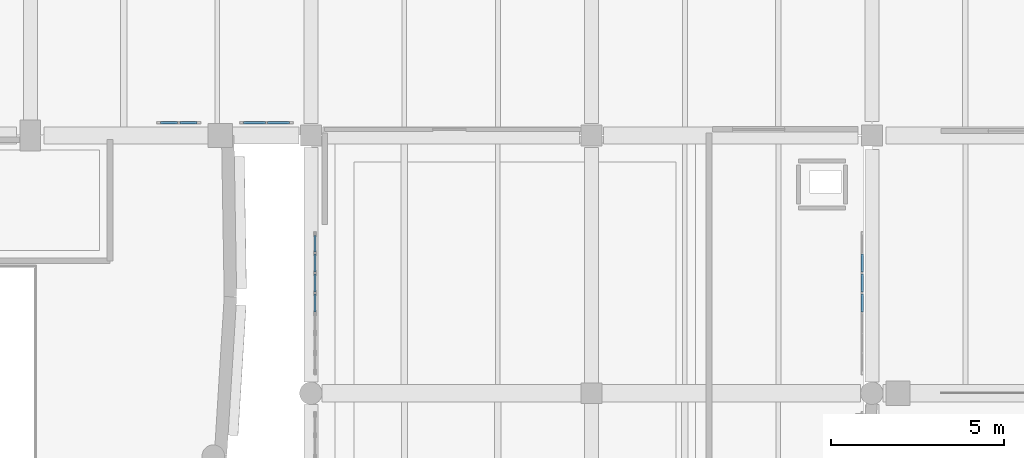
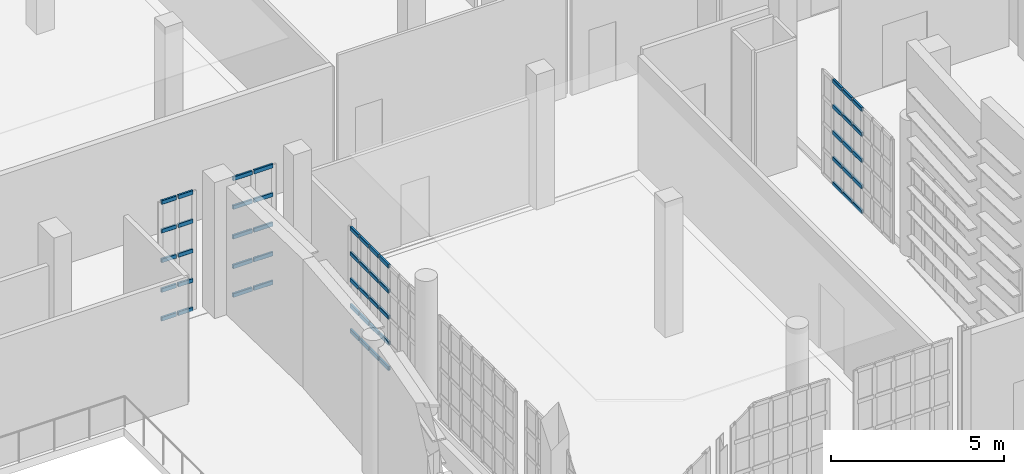
# One storey, part 65 of 104: 55 members, 4 elements without a shape of their own.
"""IFC4 building model written with IfcOpenShell, lengths in metres."""

from ifc_helpers import new_model, si_unit, direction, frame, origin, origin_2d, place, context, subcontext, project, spatial, hollow_rectangle, extrude, material, material_profile, profile_set, type_object, element, aggregate, save


model = new_model("IFC4")

# Units and contexts
model_context = context("Model", 3, precision=1e-05, world=origin(), true_north=direction((0.0, 1.0)))
body_context = subcontext(model_context, "Body", "Model", "MODEL_VIEW")
ifc_project = project(units=[si_unit("LENGTHUNIT", "METRE"), si_unit("AREAUNIT", "SQUARE_METRE"), si_unit("VOLUMEUNIT", "CUBIC_METRE"), si_unit("PLANEANGLEUNIT", "RADIAN"), si_unit("MASSUNIT", "GRAM", prefix="KILO")], contexts=[model_context])

# Site, building, storey
site_placement = place(None, origin())
site = spatial("IfcSite", under=ifc_project, at=site_placement, CompositionType="ELEMENT")
building_placement = place(site_placement, origin())
building = spatial("IfcBuilding", under=site, at=building_placement, Name="Kaelora Sail Theatre", CompositionType="ELEMENT")
storey_placement = place(building_placement, frame((0.0, 0.0, 5.39990234375)))
storey = spatial("IfcBuildingStorey", under=building, at=storey_placement, Name="L01", CompositionType="ELEMENT", Elevation=5.39990234375)

# Curtain wall, members
ifc_material_1 = material(Name="Anodised aluminium and solar-control low-E IGU", Category="aluminium")
curtain_wall_type_1 = type_object("IfcCurtainWallType", Name="ARC-CW-CW-PROW", PredefinedType="NOTDEFINED", material=ifc_material_1)
curtain_wall_1_placement = place(storey_placement, origin())
curtain_wall_1 = element("IfcCurtainWall", 1, at=curtain_wall_1_placement, inside=storey, type_object=curtain_wall_type_1, Name="East Interstitial Foyer West Glazed Return L01-03", PredefinedType="NOTDEFINED")
ifc_material_2 = material(Name="Anodised aluminium 6063-T6", Category="aluminium")
ifc_material_profile = material_profile(ifc_material_2, hollow_rectangle(XDim=0.070068359375, YDim=0.139892578125, WallThickness=0.00390625, InnerFilletRadius=0.00390625, OuterFilletRadius=0.008056640625, at=origin_2d()), Name="ALU-TRAN 70x140x4")
ifc_profile_set = profile_set([ifc_material_profile], Name="Anodised aluminium 6063-T6")
member_type = type_object("IfcMemberType", Name="ARC-MEM-TR-140", PredefinedType="USERDEFINED", material=ifc_profile_set)
member_1_placement = place(storey_placement, frame((106.919921875, 55.92431640625, 0.03515625), z_axis=(0.0, 1.0, 0.0), x_axis=(-1.0, 0.0, 0.0)))
member_1 = element("IfcMember", 2, at=member_1_placement, type_object=member_type, Name="CW-PROW transom 4.1", ObjectType="TRANSOM", PredefinedType="USERDEFINED", context=body_context, shape_type="SweptSolid", body=[
    extrude(hollow_rectangle(XDim=0.070068359375, YDim=0.139892578125, WallThickness=0.00390625, InnerFilletRadius=0.00390625, OuterFilletRadius=0.008056640625, at=origin_2d()), origin(), (0.0, 0.0, 1.0), 0.516357421875),
])
member_2_placement = place(storey_placement, frame((106.919921875, 55.92431640625, 0.921875), z_axis=(0.0, 1.0, 0.0), x_axis=(-1.0, 0.0, 0.0)))
member_2 = element("IfcMember", 3, at=member_2_placement, type_object=member_type, Name="CW-PROW transom 4.2", ObjectType="TRANSOM", PredefinedType="USERDEFINED", context=body_context, shape_type="SweptSolid", body=[
    extrude(hollow_rectangle(XDim=0.070068359375, YDim=0.139892578125, WallThickness=0.00390625, InnerFilletRadius=0.00390625, OuterFilletRadius=0.008056640625, at=origin_2d()), origin(), (0.0, 0.0, 1.0), 0.516357421875),
])
member_3_placement = place(storey_placement, frame((106.919921875, 55.92431640625, 1.843505859375), z_axis=(0.0, 1.0, 0.0), x_axis=(-1.0, 0.0, 0.0)))
member_3 = element("IfcMember", 4, at=member_3_placement, type_object=member_type, Name="CW-PROW transom 4.3", ObjectType="TRANSOM", PredefinedType="USERDEFINED", context=body_context, shape_type="SweptSolid", body=[
    extrude(hollow_rectangle(XDim=0.070068359375, YDim=0.139892578125, WallThickness=0.00390625, InnerFilletRadius=0.00390625, OuterFilletRadius=0.008056640625, at=origin_2d()), origin(), (0.0, 0.0, 1.0), 0.516357421875),
])
member_4_placement = place(storey_placement, frame((106.919921875, 55.92431640625, 2.765380859375), z_axis=(0.0, 1.0, 0.0), x_axis=(-1.0, 0.0, 0.0)))
member_4 = element("IfcMember", 5, at=member_4_placement, type_object=member_type, Name="CW-PROW transom 4.4", ObjectType="TRANSOM", PredefinedType="USERDEFINED", context=body_context, shape_type="SweptSolid", body=[
    extrude(hollow_rectangle(XDim=0.070068359375, YDim=0.139892578125, WallThickness=0.00390625, InnerFilletRadius=0.00390625, OuterFilletRadius=0.008056640625, at=origin_2d()), origin(), (0.0, 0.0, 1.0), 0.516357421875),
])
member_5_placement = place(storey_placement, frame((106.919921875, 55.92431640625, 3.652099609375), z_axis=(0.0, 1.0, 0.0), x_axis=(-1.0, 0.0, 0.0)))
member_5 = element("IfcMember", 6, at=member_5_placement, type_object=member_type, Name="CW-PROW transom 4.5", ObjectType="TRANSOM", PredefinedType="USERDEFINED", context=body_context, shape_type="SweptSolid", body=[
    extrude(hollow_rectangle(XDim=0.070068359375, YDim=0.139892578125, WallThickness=0.00390625, InnerFilletRadius=0.00390625, OuterFilletRadius=0.008056640625, at=origin_2d()), origin(), (0.0, 0.0, 1.0), 0.516357421875),
])
member_6_placement = place(storey_placement, frame((106.919921875, 56.500732421875, 0.03515625), z_axis=(0.0, 1.0, 0.0), x_axis=(-1.0, 0.0, 0.0)))
member_6 = element("IfcMember", 7, at=member_6_placement, type_object=member_type, Name="CW-PROW transom 5.1", ObjectType="TRANSOM", PredefinedType="USERDEFINED", context=body_context, shape_type="SweptSolid", body=[
    extrude(hollow_rectangle(XDim=0.070068359375, YDim=0.139892578125, WallThickness=0.00390625, InnerFilletRadius=0.00390625, OuterFilletRadius=0.008056640625, at=origin_2d()), origin(), (0.0, 0.0, 1.0), 0.516357421875),
])
member_7_placement = place(storey_placement, frame((106.919921875, 56.500732421875, 0.921875), z_axis=(0.0, 1.0, 0.0), x_axis=(-1.0, 0.0, 0.0)))
member_7 = element("IfcMember", 8, at=member_7_placement, type_object=member_type, Name="CW-PROW transom 5.2", ObjectType="TRANSOM", PredefinedType="USERDEFINED", context=body_context, shape_type="SweptSolid", body=[
    extrude(hollow_rectangle(XDim=0.070068359375, YDim=0.139892578125, WallThickness=0.00390625, InnerFilletRadius=0.00390625, OuterFilletRadius=0.008056640625, at=origin_2d()), origin(), (0.0, 0.0, 1.0), 0.516357421875),
])
member_8_placement = place(storey_placement, frame((106.919921875, 56.500732421875, 1.843505859375), z_axis=(0.0, 1.0, 0.0), x_axis=(-1.0, 0.0, 0.0)))
member_8 = element("IfcMember", 9, at=member_8_placement, type_object=member_type, Name="CW-PROW transom 5.3", ObjectType="TRANSOM", PredefinedType="USERDEFINED", context=body_context, shape_type="SweptSolid", body=[
    extrude(hollow_rectangle(XDim=0.070068359375, YDim=0.139892578125, WallThickness=0.00390625, InnerFilletRadius=0.00390625, OuterFilletRadius=0.008056640625, at=origin_2d()), origin(), (0.0, 0.0, 1.0), 0.516357421875),
])
member_9_placement = place(storey_placement, frame((106.919921875, 56.500732421875, 2.765380859375), z_axis=(0.0, 1.0, 0.0), x_axis=(-1.0, 0.0, 0.0)))
member_9 = element("IfcMember", 10, at=member_9_placement, type_object=member_type, Name="CW-PROW transom 5.4", ObjectType="TRANSOM", PredefinedType="USERDEFINED", context=body_context, shape_type="SweptSolid", body=[
    extrude(hollow_rectangle(XDim=0.070068359375, YDim=0.139892578125, WallThickness=0.00390625, InnerFilletRadius=0.00390625, OuterFilletRadius=0.008056640625, at=origin_2d()), origin(), (0.0, 0.0, 1.0), 0.516357421875),
])
member_10_placement = place(storey_placement, frame((106.919921875, 56.500732421875, 3.652099609375), z_axis=(0.0, 1.0, 0.0), x_axis=(-1.0, 0.0, 0.0)))
member_10 = element("IfcMember", 11, at=member_10_placement, type_object=member_type, Name="CW-PROW transom 5.5", ObjectType="TRANSOM", PredefinedType="USERDEFINED", context=body_context, shape_type="SweptSolid", body=[
    extrude(hollow_rectangle(XDim=0.070068359375, YDim=0.139892578125, WallThickness=0.00390625, InnerFilletRadius=0.00390625, OuterFilletRadius=0.008056640625, at=origin_2d()), origin(), (0.0, 0.0, 1.0), 0.516357421875),
])
member_11_placement = place(storey_placement, frame((106.919921875, 57.0771484375, 0.03515625), z_axis=(0.0, 1.0, 0.0), x_axis=(-1.0, 0.0, 0.0)))
member_11 = element("IfcMember", 12, at=member_11_placement, type_object=member_type, Name="CW-PROW transom 6.1", ObjectType="TRANSOM", PredefinedType="USERDEFINED", context=body_context, shape_type="SweptSolid", body=[
    extrude(hollow_rectangle(XDim=0.070068359375, YDim=0.139892578125, WallThickness=0.00390625, InnerFilletRadius=0.00390625, OuterFilletRadius=0.008056640625, at=origin_2d()), origin(), (0.0, 0.0, 1.0), 0.516357421875),
])
member_12_placement = place(storey_placement, frame((106.919921875, 57.0771484375, 0.921875), z_axis=(0.0, 1.0, 0.0), x_axis=(-1.0, 0.0, 0.0)))
member_12 = element("IfcMember", 13, at=member_12_placement, type_object=member_type, Name="CW-PROW transom 6.2", ObjectType="TRANSOM", PredefinedType="USERDEFINED", context=body_context, shape_type="SweptSolid", body=[
    extrude(hollow_rectangle(XDim=0.070068359375, YDim=0.139892578125, WallThickness=0.00390625, InnerFilletRadius=0.00390625, OuterFilletRadius=0.008056640625, at=origin_2d()), origin(), (0.0, 0.0, 1.0), 0.516357421875),
])
member_13_placement = place(storey_placement, frame((106.919921875, 57.0771484375, 1.843505859375), z_axis=(0.0, 1.0, 0.0), x_axis=(-1.0, 0.0, 0.0)))
member_13 = element("IfcMember", 14, at=member_13_placement, type_object=member_type, Name="CW-PROW transom 6.3", ObjectType="TRANSOM", PredefinedType="USERDEFINED", context=body_context, shape_type="SweptSolid", body=[
    extrude(hollow_rectangle(XDim=0.070068359375, YDim=0.139892578125, WallThickness=0.00390625, InnerFilletRadius=0.00390625, OuterFilletRadius=0.008056640625, at=origin_2d()), origin(), (0.0, 0.0, 1.0), 0.516357421875),
])
member_14_placement = place(storey_placement, frame((106.919921875, 57.0771484375, 2.765380859375), z_axis=(0.0, 1.0, 0.0), x_axis=(-1.0, 0.0, 0.0)))
member_14 = element("IfcMember", 15, at=member_14_placement, type_object=member_type, Name="CW-PROW transom 6.4", ObjectType="TRANSOM", PredefinedType="USERDEFINED", context=body_context, shape_type="SweptSolid", body=[
    extrude(hollow_rectangle(XDim=0.070068359375, YDim=0.139892578125, WallThickness=0.00390625, InnerFilletRadius=0.00390625, OuterFilletRadius=0.008056640625, at=origin_2d()), origin(), (0.0, 0.0, 1.0), 0.516357421875),
])
member_15_placement = place(storey_placement, frame((106.919921875, 57.0771484375, 3.652099609375), z_axis=(0.0, 1.0, 0.0), x_axis=(-1.0, 0.0, 0.0)))
member_15 = element("IfcMember", 16, at=member_15_placement, type_object=member_type, Name="CW-PROW transom 6.5", ObjectType="TRANSOM", PredefinedType="USERDEFINED", context=body_context, shape_type="SweptSolid", body=[
    extrude(hollow_rectangle(XDim=0.070068359375, YDim=0.139892578125, WallThickness=0.00390625, InnerFilletRadius=0.00390625, OuterFilletRadius=0.008056640625, at=origin_2d()), origin(), (0.0, 0.0, 1.0), 0.516357421875),
])
member_16_placement = place(storey_placement, frame((106.919921875, 57.653564453125, 0.03515625), z_axis=(0.0, 1.0, 0.0), x_axis=(-1.0, 0.0, 0.0)))
member_16 = element("IfcMember", 17, at=member_16_placement, type_object=member_type, Name="CW-PROW transom 7.1", ObjectType="TRANSOM", PredefinedType="USERDEFINED", context=body_context, shape_type="SweptSolid", body=[
    extrude(hollow_rectangle(XDim=0.070068359375, YDim=0.139892578125, WallThickness=0.00390625, InnerFilletRadius=0.00390625, OuterFilletRadius=0.008056640625, at=origin_2d()), origin(), (0.0, 0.0, 1.0), 0.486328125),
])
member_17_placement = place(storey_placement, frame((106.919921875, 57.653564453125, 0.921875), z_axis=(0.0, 1.0, 0.0), x_axis=(-1.0, 0.0, 0.0)))
member_17 = element("IfcMember", 18, at=member_17_placement, type_object=member_type, Name="CW-PROW transom 7.2", ObjectType="TRANSOM", PredefinedType="USERDEFINED", context=body_context, shape_type="SweptSolid", body=[
    extrude(hollow_rectangle(XDim=0.070068359375, YDim=0.139892578125, WallThickness=0.00390625, InnerFilletRadius=0.00390625, OuterFilletRadius=0.008056640625, at=origin_2d()), origin(), (0.0, 0.0, 1.0), 0.486328125),
])
member_18_placement = place(storey_placement, frame((106.919921875, 57.653564453125, 1.843505859375), z_axis=(0.0, 1.0, 0.0), x_axis=(-1.0, 0.0, 0.0)))
member_18 = element("IfcMember", 19, at=member_18_placement, type_object=member_type, Name="CW-PROW transom 7.3", ObjectType="TRANSOM", PredefinedType="USERDEFINED", context=body_context, shape_type="SweptSolid", body=[
    extrude(hollow_rectangle(XDim=0.070068359375, YDim=0.139892578125, WallThickness=0.00390625, InnerFilletRadius=0.00390625, OuterFilletRadius=0.008056640625, at=origin_2d()), origin(), (0.0, 0.0, 1.0), 0.486328125),
])
member_19_placement = place(storey_placement, frame((106.919921875, 57.653564453125, 2.765380859375), z_axis=(0.0, 1.0, 0.0), x_axis=(-1.0, 0.0, 0.0)))
member_19 = element("IfcMember", 20, at=member_19_placement, type_object=member_type, Name="CW-PROW transom 7.4", ObjectType="TRANSOM", PredefinedType="USERDEFINED", context=body_context, shape_type="SweptSolid", body=[
    extrude(hollow_rectangle(XDim=0.070068359375, YDim=0.139892578125, WallThickness=0.00390625, InnerFilletRadius=0.00390625, OuterFilletRadius=0.008056640625, at=origin_2d()), origin(), (0.0, 0.0, 1.0), 0.486328125),
])
member_20_placement = place(storey_placement, frame((106.919921875, 57.653564453125, 3.652099609375), z_axis=(0.0, 1.0, 0.0), x_axis=(-1.0, 0.0, 0.0)))
member_20 = element("IfcMember", 21, at=member_20_placement, type_object=member_type, Name="CW-PROW transom 7.5", ObjectType="TRANSOM", PredefinedType="USERDEFINED", context=body_context, shape_type="SweptSolid", body=[
    extrude(hollow_rectangle(XDim=0.070068359375, YDim=0.139892578125, WallThickness=0.00390625, InnerFilletRadius=0.00390625, OuterFilletRadius=0.008056640625, at=origin_2d()), origin(), (0.0, 0.0, 1.0), 0.486328125),
])
aggregate(curtain_wall_1, [member_1, member_2, member_3, member_4, member_5, member_6, member_7, member_8, member_9, member_10, member_11, member_12, member_13, member_14, member_15, member_16, member_17, member_18, member_19, member_20])

curtain_wall_2_placement = place(storey_placement, origin())
curtain_wall_2 = element("IfcCurtainWall", 22, at=curtain_wall_2_placement, inside=storey, type_object=curtain_wall_type_1, Name="East Interstitial Foyer East Glazed Return L01-03", PredefinedType="NOTDEFINED")
member_21_placement = place(storey_placement, frame((122.719970703125, 55.92431640625, 0.03515625), z_axis=(0.0, 1.0, 0.0), x_axis=(-1.0, 0.0, 0.0)))
member_21 = element("IfcMember", 23, at=member_21_placement, type_object=member_type, Name="CW-PROW transom 4.1", ObjectType="TRANSOM", PredefinedType="USERDEFINED", context=body_context, shape_type="SweptSolid", body=[
    extrude(hollow_rectangle(XDim=0.070068359375, YDim=0.139892578125, WallThickness=0.00390625, InnerFilletRadius=0.00390625, OuterFilletRadius=0.008056640625, at=origin_2d()), origin(), (0.0, 0.0, 1.0), 0.516357421875),
])
member_22_placement = place(storey_placement, frame((122.719970703125, 55.92431640625, 0.921875), z_axis=(0.0, 1.0, 0.0), x_axis=(-1.0, 0.0, 0.0)))
member_22 = element("IfcMember", 24, at=member_22_placement, type_object=member_type, Name="CW-PROW transom 4.2", ObjectType="TRANSOM", PredefinedType="USERDEFINED", context=body_context, shape_type="SweptSolid", body=[
    extrude(hollow_rectangle(XDim=0.070068359375, YDim=0.139892578125, WallThickness=0.00390625, InnerFilletRadius=0.00390625, OuterFilletRadius=0.008056640625, at=origin_2d()), origin(), (0.0, 0.0, 1.0), 0.516357421875),
])
member_23_placement = place(storey_placement, frame((122.719970703125, 55.92431640625, 1.843505859375), z_axis=(0.0, 1.0, 0.0), x_axis=(-1.0, 0.0, 0.0)))
member_23 = element("IfcMember", 25, at=member_23_placement, type_object=member_type, Name="CW-PROW transom 4.3", ObjectType="TRANSOM", PredefinedType="USERDEFINED", context=body_context, shape_type="SweptSolid", body=[
    extrude(hollow_rectangle(XDim=0.070068359375, YDim=0.139892578125, WallThickness=0.00390625, InnerFilletRadius=0.00390625, OuterFilletRadius=0.008056640625, at=origin_2d()), origin(), (0.0, 0.0, 1.0), 0.516357421875),
])
member_24_placement = place(storey_placement, frame((122.719970703125, 55.92431640625, 2.765380859375), z_axis=(0.0, 1.0, 0.0), x_axis=(-1.0, 0.0, 0.0)))
member_24 = element("IfcMember", 26, at=member_24_placement, type_object=member_type, Name="CW-PROW transom 4.4", ObjectType="TRANSOM", PredefinedType="USERDEFINED", context=body_context, shape_type="SweptSolid", body=[
    extrude(hollow_rectangle(XDim=0.070068359375, YDim=0.139892578125, WallThickness=0.00390625, InnerFilletRadius=0.00390625, OuterFilletRadius=0.008056640625, at=origin_2d()), origin(), (0.0, 0.0, 1.0), 0.516357421875),
])
member_25_placement = place(storey_placement, frame((122.719970703125, 55.92431640625, 3.652099609375), z_axis=(0.0, 1.0, 0.0), x_axis=(-1.0, 0.0, 0.0)))
member_25 = element("IfcMember", 27, at=member_25_placement, type_object=member_type, Name="CW-PROW transom 4.5", ObjectType="TRANSOM", PredefinedType="USERDEFINED", context=body_context, shape_type="SweptSolid", body=[
    extrude(hollow_rectangle(XDim=0.070068359375, YDim=0.139892578125, WallThickness=0.00390625, InnerFilletRadius=0.00390625, OuterFilletRadius=0.008056640625, at=origin_2d()), origin(), (0.0, 0.0, 1.0), 0.516357421875),
])
member_26_placement = place(storey_placement, frame((122.719970703125, 56.500732421875, 0.03515625), z_axis=(0.0, 1.0, 0.0), x_axis=(-1.0, 0.0, 0.0)))
member_26 = element("IfcMember", 28, at=member_26_placement, type_object=member_type, Name="CW-PROW transom 5.1", ObjectType="TRANSOM", PredefinedType="USERDEFINED", context=body_context, shape_type="SweptSolid", body=[
    extrude(hollow_rectangle(XDim=0.070068359375, YDim=0.139892578125, WallThickness=0.00390625, InnerFilletRadius=0.00390625, OuterFilletRadius=0.008056640625, at=origin_2d()), origin(), (0.0, 0.0, 1.0), 0.516357421875),
])
member_27_placement = place(storey_placement, frame((122.719970703125, 56.500732421875, 0.921875), z_axis=(0.0, 1.0, 0.0), x_axis=(-1.0, 0.0, 0.0)))
member_27 = element("IfcMember", 29, at=member_27_placement, type_object=member_type, Name="CW-PROW transom 5.2", ObjectType="TRANSOM", PredefinedType="USERDEFINED", context=body_context, shape_type="SweptSolid", body=[
    extrude(hollow_rectangle(XDim=0.070068359375, YDim=0.139892578125, WallThickness=0.00390625, InnerFilletRadius=0.00390625, OuterFilletRadius=0.008056640625, at=origin_2d()), origin(), (0.0, 0.0, 1.0), 0.516357421875),
])
member_28_placement = place(storey_placement, frame((122.719970703125, 56.500732421875, 1.843505859375), z_axis=(0.0, 1.0, 0.0), x_axis=(-1.0, 0.0, 0.0)))
member_28 = element("IfcMember", 30, at=member_28_placement, type_object=member_type, Name="CW-PROW transom 5.3", ObjectType="TRANSOM", PredefinedType="USERDEFINED", context=body_context, shape_type="SweptSolid", body=[
    extrude(hollow_rectangle(XDim=0.070068359375, YDim=0.139892578125, WallThickness=0.00390625, InnerFilletRadius=0.00390625, OuterFilletRadius=0.008056640625, at=origin_2d()), origin(), (0.0, 0.0, 1.0), 0.516357421875),
])
member_29_placement = place(storey_placement, frame((122.719970703125, 56.500732421875, 2.765380859375), z_axis=(0.0, 1.0, 0.0), x_axis=(-1.0, 0.0, 0.0)))
member_29 = element("IfcMember", 31, at=member_29_placement, type_object=member_type, Name="CW-PROW transom 5.4", ObjectType="TRANSOM", PredefinedType="USERDEFINED", context=body_context, shape_type="SweptSolid", body=[
    extrude(hollow_rectangle(XDim=0.070068359375, YDim=0.139892578125, WallThickness=0.00390625, InnerFilletRadius=0.00390625, OuterFilletRadius=0.008056640625, at=origin_2d()), origin(), (0.0, 0.0, 1.0), 0.516357421875),
])
member_30_placement = place(storey_placement, frame((122.719970703125, 56.500732421875, 3.652099609375), z_axis=(0.0, 1.0, 0.0), x_axis=(-1.0, 0.0, 0.0)))
member_30 = element("IfcMember", 32, at=member_30_placement, type_object=member_type, Name="CW-PROW transom 5.5", ObjectType="TRANSOM", PredefinedType="USERDEFINED", context=body_context, shape_type="SweptSolid", body=[
    extrude(hollow_rectangle(XDim=0.070068359375, YDim=0.139892578125, WallThickness=0.00390625, InnerFilletRadius=0.00390625, OuterFilletRadius=0.008056640625, at=origin_2d()), origin(), (0.0, 0.0, 1.0), 0.516357421875),
])
member_31_placement = place(storey_placement, frame((122.719970703125, 57.0771484375, 0.03515625), z_axis=(0.0, 1.0, 0.0), x_axis=(-1.0, 0.0, 0.0)))
member_31 = element("IfcMember", 33, at=member_31_placement, type_object=member_type, Name="CW-PROW transom 6.1", ObjectType="TRANSOM", PredefinedType="USERDEFINED", context=body_context, shape_type="SweptSolid", body=[
    extrude(hollow_rectangle(XDim=0.070068359375, YDim=0.139892578125, WallThickness=0.00390625, InnerFilletRadius=0.00390625, OuterFilletRadius=0.008056640625, at=origin_2d()), origin(), (0.0, 0.0, 1.0), 0.516357421875),
])
member_32_placement = place(storey_placement, frame((122.719970703125, 57.0771484375, 0.921875), z_axis=(0.0, 1.0, 0.0), x_axis=(-1.0, 0.0, 0.0)))
member_32 = element("IfcMember", 34, at=member_32_placement, type_object=member_type, Name="CW-PROW transom 6.2", ObjectType="TRANSOM", PredefinedType="USERDEFINED", context=body_context, shape_type="SweptSolid", body=[
    extrude(hollow_rectangle(XDim=0.070068359375, YDim=0.139892578125, WallThickness=0.00390625, InnerFilletRadius=0.00390625, OuterFilletRadius=0.008056640625, at=origin_2d()), origin(), (0.0, 0.0, 1.0), 0.516357421875),
])
member_33_placement = place(storey_placement, frame((122.719970703125, 57.0771484375, 1.843505859375), z_axis=(0.0, 1.0, 0.0), x_axis=(-1.0, 0.0, 0.0)))
member_33 = element("IfcMember", 35, at=member_33_placement, type_object=member_type, Name="CW-PROW transom 6.3", ObjectType="TRANSOM", PredefinedType="USERDEFINED", context=body_context, shape_type="SweptSolid", body=[
    extrude(hollow_rectangle(XDim=0.070068359375, YDim=0.139892578125, WallThickness=0.00390625, InnerFilletRadius=0.00390625, OuterFilletRadius=0.008056640625, at=origin_2d()), origin(), (0.0, 0.0, 1.0), 0.516357421875),
])
member_34_placement = place(storey_placement, frame((122.719970703125, 57.0771484375, 2.765380859375), z_axis=(0.0, 1.0, 0.0), x_axis=(-1.0, 0.0, 0.0)))
member_34 = element("IfcMember", 36, at=member_34_placement, type_object=member_type, Name="CW-PROW transom 6.4", ObjectType="TRANSOM", PredefinedType="USERDEFINED", context=body_context, shape_type="SweptSolid", body=[
    extrude(hollow_rectangle(XDim=0.070068359375, YDim=0.139892578125, WallThickness=0.00390625, InnerFilletRadius=0.00390625, OuterFilletRadius=0.008056640625, at=origin_2d()), origin(), (0.0, 0.0, 1.0), 0.516357421875),
])
member_35_placement = place(storey_placement, frame((122.719970703125, 57.0771484375, 3.652099609375), z_axis=(0.0, 1.0, 0.0), x_axis=(-1.0, 0.0, 0.0)))
member_35 = element("IfcMember", 37, at=member_35_placement, type_object=member_type, Name="CW-PROW transom 6.5", ObjectType="TRANSOM", PredefinedType="USERDEFINED", context=body_context, shape_type="SweptSolid", body=[
    extrude(hollow_rectangle(XDim=0.070068359375, YDim=0.139892578125, WallThickness=0.00390625, InnerFilletRadius=0.00390625, OuterFilletRadius=0.008056640625, at=origin_2d()), origin(), (0.0, 0.0, 1.0), 0.516357421875),
])
aggregate(curtain_wall_2, [member_21, member_22, member_23, member_24, member_25, member_26, member_27, member_28, member_29, member_30, member_31, member_32, member_33, member_34, member_35])

ifc_material_3 = material(Name="Anodised aluminium and solar-control low-E IGU", Category="aluminium")
curtain_wall_type_2 = type_object("IfcCurtainWallType", Name="ARC-CW-CW-FOY2", PredefinedType="NOTDEFINED", material=ifc_material_3)
curtain_wall_3_placement = place(storey_placement, origin())
curtain_wall_3 = element("IfcCurtainWall", 38, at=curtain_wall_3_placement, inside=storey, type_object=curtain_wall_type_2, Name="Glazed Foyer/Conservatory Curtain Wall FC2-S-L01-01", PredefinedType="NOTDEFINED")
member_36_placement = place(storey_placement, frame((102.4599609375, 61.389892578125, 0.03515625), z_axis=(1.0, 0.0, 0.0), x_axis=(0.0, 1.0, 0.0)))
member_36 = element("IfcMember", 39, at=member_36_placement, type_object=member_type, Name="CW-FOY2 transom 1.1", ObjectType="TRANSOM", PredefinedType="USERDEFINED", context=body_context, shape_type="SweptSolid", body=[
    extrude(hollow_rectangle(XDim=0.070068359375, YDim=0.139892578125, WallThickness=0.00390625, InnerFilletRadius=0.00390625, OuterFilletRadius=0.008056640625, at=origin_2d()), origin(), (0.0, 0.0, 1.0), 0.4951171875),
])
member_37_placement = place(storey_placement, frame((102.4599609375, 61.389892578125, 1.046875), z_axis=(1.0, 0.0, 0.0), x_axis=(0.0, 1.0, 0.0)))
member_37 = element("IfcMember", 40, at=member_37_placement, type_object=member_type, Name="CW-FOY2 transom 1.2", ObjectType="TRANSOM", PredefinedType="USERDEFINED", context=body_context, shape_type="SweptSolid", body=[
    extrude(hollow_rectangle(XDim=0.070068359375, YDim=0.139892578125, WallThickness=0.00390625, InnerFilletRadius=0.00390625, OuterFilletRadius=0.008056640625, at=origin_2d()), origin(), (0.0, 0.0, 1.0), 0.4951171875),
])
member_38_placement = place(storey_placement, frame((102.4599609375, 61.389892578125, 2.093505859375), z_axis=(1.0, 0.0, 0.0), x_axis=(0.0, 1.0, 0.0)))
member_38 = element("IfcMember", 41, at=member_38_placement, type_object=member_type, Name="CW-FOY2 transom 1.3", ObjectType="TRANSOM", PredefinedType="USERDEFINED", context=body_context, shape_type="SweptSolid", body=[
    extrude(hollow_rectangle(XDim=0.070068359375, YDim=0.139892578125, WallThickness=0.00390625, InnerFilletRadius=0.00390625, OuterFilletRadius=0.008056640625, at=origin_2d()), origin(), (0.0, 0.0, 1.0), 0.4951171875),
])
member_39_placement = place(storey_placement, frame((102.4599609375, 61.389892578125, 3.140380859375), z_axis=(1.0, 0.0, 0.0), x_axis=(0.0, 1.0, 0.0)))
member_39 = element("IfcMember", 42, at=member_39_placement, type_object=member_type, Name="CW-FOY2 transom 1.4", ObjectType="TRANSOM", PredefinedType="USERDEFINED", context=body_context, shape_type="SweptSolid", body=[
    extrude(hollow_rectangle(XDim=0.070068359375, YDim=0.139892578125, WallThickness=0.00390625, InnerFilletRadius=0.00390625, OuterFilletRadius=0.008056640625, at=origin_2d()), origin(), (0.0, 0.0, 1.0), 0.4951171875),
])
member_40_placement = place(storey_placement, frame((102.4599609375, 61.389892578125, 4.152099609375), z_axis=(1.0, 0.0, 0.0), x_axis=(0.0, 1.0, 0.0)))
member_40 = element("IfcMember", 43, at=member_40_placement, type_object=member_type, Name="CW-FOY2 transom 1.5", ObjectType="TRANSOM", PredefinedType="USERDEFINED", context=body_context, shape_type="SweptSolid", body=[
    extrude(hollow_rectangle(XDim=0.070068359375, YDim=0.139892578125, WallThickness=0.00390625, InnerFilletRadius=0.00390625, OuterFilletRadius=0.008056640625, at=origin_2d()), origin(), (0.0, 0.0, 1.0), 0.4951171875),
])
member_41_placement = place(storey_placement, frame((103.014892578125, 61.389892578125, 0.03515625), z_axis=(1.0, 0.0, 0.0), x_axis=(0.0, 1.0, 0.0)))
member_41 = element("IfcMember", 44, at=member_41_placement, type_object=member_type, Name="CW-FOY2 transom 2.1", ObjectType="TRANSOM", PredefinedType="USERDEFINED", context=body_context, shape_type="SweptSolid", body=[
    extrude(hollow_rectangle(XDim=0.070068359375, YDim=0.139892578125, WallThickness=0.00390625, InnerFilletRadius=0.00390625, OuterFilletRadius=0.008056640625, at=origin_2d()), origin(), (0.0, 0.0, 1.0), 0.4951171875),
])
member_42_placement = place(storey_placement, frame((103.014892578125, 61.389892578125, 1.046875), z_axis=(1.0, 0.0, 0.0), x_axis=(0.0, 1.0, 0.0)))
member_42 = element("IfcMember", 45, at=member_42_placement, type_object=member_type, Name="CW-FOY2 transom 2.2", ObjectType="TRANSOM", PredefinedType="USERDEFINED", context=body_context, shape_type="SweptSolid", body=[
    extrude(hollow_rectangle(XDim=0.070068359375, YDim=0.139892578125, WallThickness=0.00390625, InnerFilletRadius=0.00390625, OuterFilletRadius=0.008056640625, at=origin_2d()), origin(), (0.0, 0.0, 1.0), 0.4951171875),
])
member_43_placement = place(storey_placement, frame((103.014892578125, 61.389892578125, 2.093505859375), z_axis=(1.0, 0.0, 0.0), x_axis=(0.0, 1.0, 0.0)))
member_43 = element("IfcMember", 46, at=member_43_placement, type_object=member_type, Name="CW-FOY2 transom 2.3", ObjectType="TRANSOM", PredefinedType="USERDEFINED", context=body_context, shape_type="SweptSolid", body=[
    extrude(hollow_rectangle(XDim=0.070068359375, YDim=0.139892578125, WallThickness=0.00390625, InnerFilletRadius=0.00390625, OuterFilletRadius=0.008056640625, at=origin_2d()), origin(), (0.0, 0.0, 1.0), 0.4951171875),
])
member_44_placement = place(storey_placement, frame((103.014892578125, 61.389892578125, 3.140380859375), z_axis=(1.0, 0.0, 0.0), x_axis=(0.0, 1.0, 0.0)))
member_44 = element("IfcMember", 47, at=member_44_placement, type_object=member_type, Name="CW-FOY2 transom 2.4", ObjectType="TRANSOM", PredefinedType="USERDEFINED", context=body_context, shape_type="SweptSolid", body=[
    extrude(hollow_rectangle(XDim=0.070068359375, YDim=0.139892578125, WallThickness=0.00390625, InnerFilletRadius=0.00390625, OuterFilletRadius=0.008056640625, at=origin_2d()), origin(), (0.0, 0.0, 1.0), 0.4951171875),
])
member_45_placement = place(storey_placement, frame((103.014892578125, 61.389892578125, 4.152099609375), z_axis=(1.0, 0.0, 0.0), x_axis=(0.0, 1.0, 0.0)))
member_45 = element("IfcMember", 48, at=member_45_placement, type_object=member_type, Name="CW-FOY2 transom 2.5", ObjectType="TRANSOM", PredefinedType="USERDEFINED", context=body_context, shape_type="SweptSolid", body=[
    extrude(hollow_rectangle(XDim=0.070068359375, YDim=0.139892578125, WallThickness=0.00390625, InnerFilletRadius=0.00390625, OuterFilletRadius=0.008056640625, at=origin_2d()), origin(), (0.0, 0.0, 1.0), 0.4951171875),
])
aggregate(curtain_wall_3, [member_36, member_37, member_38, member_39, member_40, member_41, member_42, member_43, member_44, member_45])

curtain_wall_4_placement = place(storey_placement, origin())
curtain_wall_4 = element("IfcCurtainWall", 49, at=curtain_wall_4_placement, inside=storey, type_object=curtain_wall_type_2, Name="Glazed Foyer/Conservatory Curtain Wall FC2-S-L01-01", PredefinedType="NOTDEFINED")
member_46_placement = place(storey_placement, frame((104.85009765625, 61.389892578125, 0.03515625), z_axis=(1.0, 0.0, 0.0), x_axis=(0.0, 1.0, 0.0)))
member_46 = element("IfcMember", 50, at=member_46_placement, type_object=member_type, Name="CW-FOY2 transom 1.1", ObjectType="TRANSOM", PredefinedType="USERDEFINED", context=body_context, shape_type="SweptSolid", body=[
    extrude(hollow_rectangle(XDim=0.070068359375, YDim=0.139892578125, WallThickness=0.00390625, InnerFilletRadius=0.00390625, OuterFilletRadius=0.008056640625, at=origin_2d()), origin(), (0.0, 0.0, 1.0), 0.635009765625),
])
member_47_placement = place(storey_placement, frame((104.85009765625, 61.389892578125, 1.046875), z_axis=(1.0, 0.0, 0.0), x_axis=(0.0, 1.0, 0.0)))
member_47 = element("IfcMember", 51, at=member_47_placement, type_object=member_type, Name="CW-FOY2 transom 1.2", ObjectType="TRANSOM", PredefinedType="USERDEFINED", context=body_context, shape_type="SweptSolid", body=[
    extrude(hollow_rectangle(XDim=0.070068359375, YDim=0.139892578125, WallThickness=0.00390625, InnerFilletRadius=0.00390625, OuterFilletRadius=0.008056640625, at=origin_2d()), origin(), (0.0, 0.0, 1.0), 0.635009765625),
])
member_48_placement = place(storey_placement, frame((104.85009765625, 61.389892578125, 2.093505859375), z_axis=(1.0, 0.0, 0.0), x_axis=(0.0, 1.0, 0.0)))
member_48 = element("IfcMember", 52, at=member_48_placement, type_object=member_type, Name="CW-FOY2 transom 1.3", ObjectType="TRANSOM", PredefinedType="USERDEFINED", context=body_context, shape_type="SweptSolid", body=[
    extrude(hollow_rectangle(XDim=0.070068359375, YDim=0.139892578125, WallThickness=0.00390625, InnerFilletRadius=0.00390625, OuterFilletRadius=0.008056640625, at=origin_2d()), origin(), (0.0, 0.0, 1.0), 0.635009765625),
])
member_49_placement = place(storey_placement, frame((104.85009765625, 61.389892578125, 3.140380859375), z_axis=(1.0, 0.0, 0.0), x_axis=(0.0, 1.0, 0.0)))
member_49 = element("IfcMember", 53, at=member_49_placement, type_object=member_type, Name="CW-FOY2 transom 1.4", ObjectType="TRANSOM", PredefinedType="USERDEFINED", context=body_context, shape_type="SweptSolid", body=[
    extrude(hollow_rectangle(XDim=0.070068359375, YDim=0.139892578125, WallThickness=0.00390625, InnerFilletRadius=0.00390625, OuterFilletRadius=0.008056640625, at=origin_2d()), origin(), (0.0, 0.0, 1.0), 0.635009765625),
])
member_50_placement = place(storey_placement, frame((104.85009765625, 61.389892578125, 4.152099609375), z_axis=(1.0, 0.0, 0.0), x_axis=(0.0, 1.0, 0.0)))
member_50 = element("IfcMember", 54, at=member_50_placement, type_object=member_type, Name="CW-FOY2 transom 1.5", ObjectType="TRANSOM", PredefinedType="USERDEFINED", context=body_context, shape_type="SweptSolid", body=[
    extrude(hollow_rectangle(XDim=0.070068359375, YDim=0.139892578125, WallThickness=0.00390625, InnerFilletRadius=0.00390625, OuterFilletRadius=0.008056640625, at=origin_2d()), origin(), (0.0, 0.0, 1.0), 0.635009765625),
])
member_51_placement = place(storey_placement, frame((105.544921875, 61.389892578125, 0.03515625), z_axis=(1.0, 0.0, 0.0), x_axis=(0.0, 1.0, 0.0)))
member_51 = element("IfcMember", 55, at=member_51_placement, type_object=member_type, Name="CW-FOY2 transom 2.1", ObjectType="TRANSOM", PredefinedType="USERDEFINED", context=body_context, shape_type="SweptSolid", body=[
    extrude(hollow_rectangle(XDim=0.070068359375, YDim=0.139892578125, WallThickness=0.00390625, InnerFilletRadius=0.00390625, OuterFilletRadius=0.008056640625, at=origin_2d()), origin(), (0.0, 0.0, 1.0), 0.635009765625),
])
member_52_placement = place(storey_placement, frame((105.544921875, 61.389892578125, 1.046875), z_axis=(1.0, 0.0, 0.0), x_axis=(0.0, 1.0, 0.0)))
member_52 = element("IfcMember", 56, at=member_52_placement, type_object=member_type, Name="CW-FOY2 transom 2.2", ObjectType="TRANSOM", PredefinedType="USERDEFINED", context=body_context, shape_type="SweptSolid", body=[
    extrude(hollow_rectangle(XDim=0.070068359375, YDim=0.139892578125, WallThickness=0.00390625, InnerFilletRadius=0.00390625, OuterFilletRadius=0.008056640625, at=origin_2d()), origin(), (0.0, 0.0, 1.0), 0.635009765625),
])
member_53_placement = place(storey_placement, frame((105.544921875, 61.389892578125, 2.093505859375), z_axis=(1.0, 0.0, 0.0), x_axis=(0.0, 1.0, 0.0)))
member_53 = element("IfcMember", 57, at=member_53_placement, type_object=member_type, Name="CW-FOY2 transom 2.3", ObjectType="TRANSOM", PredefinedType="USERDEFINED", context=body_context, shape_type="SweptSolid", body=[
    extrude(hollow_rectangle(XDim=0.070068359375, YDim=0.139892578125, WallThickness=0.00390625, InnerFilletRadius=0.00390625, OuterFilletRadius=0.008056640625, at=origin_2d()), origin(), (0.0, 0.0, 1.0), 0.635009765625),
])
member_54_placement = place(storey_placement, frame((105.544921875, 61.389892578125, 3.140380859375), z_axis=(1.0, 0.0, 0.0), x_axis=(0.0, 1.0, 0.0)))
member_54 = element("IfcMember", 58, at=member_54_placement, type_object=member_type, Name="CW-FOY2 transom 2.4", ObjectType="TRANSOM", PredefinedType="USERDEFINED", context=body_context, shape_type="SweptSolid", body=[
    extrude(hollow_rectangle(XDim=0.070068359375, YDim=0.139892578125, WallThickness=0.00390625, InnerFilletRadius=0.00390625, OuterFilletRadius=0.008056640625, at=origin_2d()), origin(), (0.0, 0.0, 1.0), 0.635009765625),
])
member_55_placement = place(storey_placement, frame((105.544921875, 61.389892578125, 4.152099609375), z_axis=(1.0, 0.0, 0.0), x_axis=(0.0, 1.0, 0.0)))
member_55 = element("IfcMember", 59, at=member_55_placement, type_object=member_type, Name="CW-FOY2 transom 2.5", ObjectType="TRANSOM", PredefinedType="USERDEFINED", context=body_context, shape_type="SweptSolid", body=[
    extrude(hollow_rectangle(XDim=0.070068359375, YDim=0.139892578125, WallThickness=0.00390625, InnerFilletRadius=0.00390625, OuterFilletRadius=0.008056640625, at=origin_2d()), origin(), (0.0, 0.0, 1.0), 0.635009765625),
])
aggregate(curtain_wall_4, [member_46, member_47, member_48, member_49, member_50, member_51, member_52, member_53, member_54, member_55])

save(model, "model.ifc")
